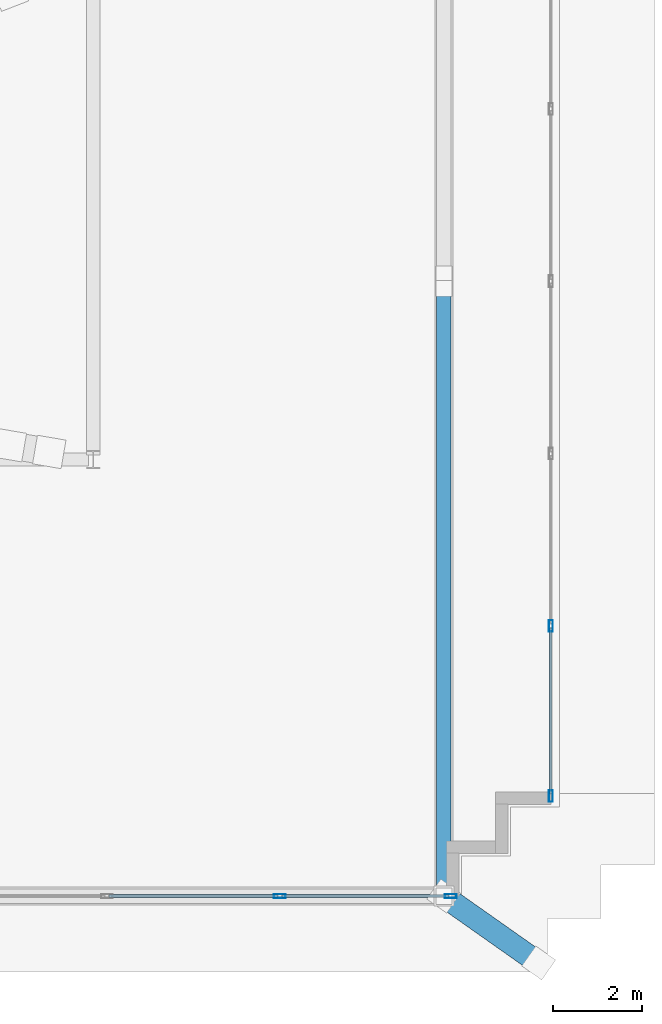
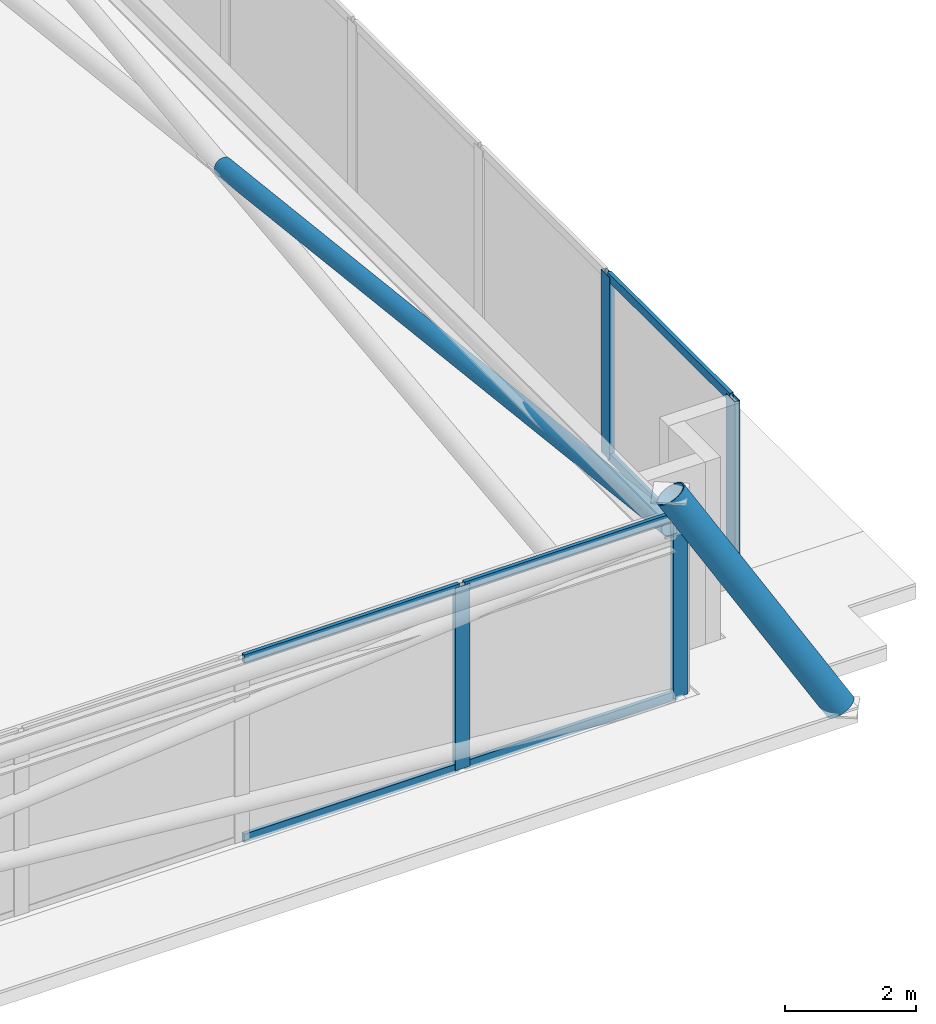
# One storey, part 15 of 22: 12 members, 2 elements without a shape of their own.
"""IFC4 building model written with IfcOpenShell, lengths in metres."""

from ifc_helpers import new_model, si_unit, direction, frame, origin, origin_2d, place, context, subcontext, project, spatial, hollow_rectangle, hollow_circle, extrude, material, layer, layer_set, material_profile, profile_set, type_object, element, aggregate, save


model = new_model("IFC4")

# Units and contexts
model_context = context("Model", 3, precision=1e-05, world=origin(), true_north=direction((0.0, 1.0)))
body_context = subcontext(model_context, "Body", "Model", "MODEL_VIEW")
ifc_project = project(units=[si_unit("LENGTHUNIT", "METRE"), si_unit("AREAUNIT", "SQUARE_METRE"), si_unit("VOLUMEUNIT", "CUBIC_METRE"), si_unit("PLANEANGLEUNIT", "RADIAN"), si_unit("MASSUNIT", "GRAM", prefix="KILO")], contexts=[model_context])

# Site, building, storey
site_placement = place(None, origin())
site = spatial("IfcSite", under=ifc_project, at=site_placement, CompositionType="ELEMENT")
building_placement = place(site_placement, origin())
building = spatial("IfcBuilding", under=site, at=building_placement, Name="Qobustan Lattice House", CompositionType="ELEMENT")
storey_placement = place(building_placement, frame((0.0, 0.0, 274.0)))
storey = spatial("IfcBuildingStorey", under=building, at=storey_placement, Name="L77", CompositionType="ELEMENT", Elevation=274.0)

# Curtain wall, members
ifc_material_1 = material(Name="Anodised aluminium and low-E glazing", Category="aluminium")
ifc_layer = layer(ifc_material_1, 0.219970703125)
ifc_layer_set = layer_set([ifc_layer], Name="Anodised aluminium and low-E glazing")
curtain_wall_type = type_object("IfcCurtainWallType", Name="CW-CRN-01", PredefinedType="USERDEFINED", material=ifc_layer_set)
curtain_wall_1_placement = place(storey_placement, origin())
curtain_wall_1 = element("IfcCurtainWall", 1, at=curtain_wall_1_placement, inside=storey, type_object=curtain_wall_type, Name="L77 glass-point crown faceted curtain wall 15", ObjectType="CURTAIN WALL", PredefinedType="USERDEFINED")
ifc_material_2 = material(Name="Anodised aluminium EN AW-6063 T6", Category="aluminium")
ifc_material_profile_1 = material_profile(ifc_material_2, hollow_rectangle(XDim=0.090087890625, YDim=0.260009765625, WallThickness=0.006103515625, at=origin_2d()), Name="CWM-CROWN-260x90")
ifc_profile_set_1 = profile_set([ifc_material_profile_1], Name="Anodised aluminium EN AW-6063 T6")
member_type_1 = type_object("IfcMemberType", Name="CWM-CRN-260", PredefinedType="MULLION", material=ifc_profile_set_1)
member_1_placement = place(storey_placement, frame((19.473388671875, -9.334228515625, 0.0), z_axis=(0.0, 0.0, 1.0), x_axis=(1.0, 0.0, 0.0)))
member_1 = element("IfcMember", 2, at=member_1_placement, type_object=member_type_1, Name="CW-CR mullion 6", PredefinedType="MULLION", context=body_context, shape_type="SweptSolid", body=[
    extrude(hollow_rectangle(XDim=0.090087890625, YDim=0.260009765625, WallThickness=0.006103515625, at=origin_2d()), origin(), (0.0, 0.0, 1.0), 3.39990234375),
])
member_2_placement = place(storey_placement, frame((19.473388671875, -13.156494140625, 0.0), z_axis=(0.0, 0.0, 1.0), x_axis=(1.0, 0.0, 0.0)))
member_2 = element("IfcMember", 3, at=member_2_placement, type_object=member_type_1, Name="CW-CR mullion 7", PredefinedType="MULLION", context=body_context, shape_type="SweptSolid", body=[
    extrude(hollow_rectangle(XDim=0.090087890625, YDim=0.260009765625, WallThickness=0.006103515625, at=origin_2d()), origin(), (0.0, 0.0, 1.0), 3.39990234375),
])

curtain_wall_2_placement = place(storey_placement, origin())
curtain_wall_2 = element("IfcCurtainWall", 4, at=curtain_wall_2_placement, inside=storey, type_object=curtain_wall_type, Name="L77 glass-point crown faceted curtain wall 20", ObjectType="CURTAIN WALL", PredefinedType="USERDEFINED")
member_3_placement = place(storey_placement, frame((17.228515625, -15.401611328125, 0.0), z_axis=(0.0, 0.0, 1.0), x_axis=(0.0, -1.0, 0.0)))
member_3 = element("IfcMember", 5, at=member_3_placement, type_object=member_type_1, Name="CW-CR mullion 1", PredefinedType="MULLION", context=body_context, shape_type="SweptSolid", body=[
    extrude(hollow_rectangle(XDim=0.090087890625, YDim=0.260009765625, WallThickness=0.006103515625, at=origin_2d()), origin(), (0.0, 0.0, 1.0), 3.39990234375),
])
member_4_placement = place(storey_placement, frame((13.390380859375, -15.401611328125, 0.0), z_axis=(0.0, 0.0, 1.0), x_axis=(0.0, -1.0, 0.0)))
member_4 = element("IfcMember", 6, at=member_4_placement, type_object=member_type_1, Name="CW-CR mullion 2", PredefinedType="MULLION", context=body_context, shape_type="SweptSolid", body=[
    extrude(hollow_rectangle(XDim=0.090087890625, YDim=0.260009765625, WallThickness=0.006103515625, at=origin_2d()), origin(), (0.0, 0.0, 1.0), 3.39990234375),
])

# Member
ifc_material_3 = material(Name="Anodised aluminium EN AW-6063 T6", Category="aluminium")
ifc_material_profile_2 = material_profile(ifc_material_3, hollow_rectangle(XDim=0.06494140625, YDim=0.159912109375, WallThickness=0.00390625, at=origin_2d()), Name="CWT-160x65")
ifc_profile_set_2 = profile_set([ifc_material_profile_2], Name="Anodised aluminium EN AW-6063 T6")
member_type_2 = type_object("IfcMemberType", Name="CWT-HOR-160", PredefinedType="USERDEFINED", material=ifc_profile_set_2)
member_5_placement = place(storey_placement, frame((19.473388671875, -9.37939453125, 0.032470703125), z_axis=(0.0, -1.0, 0.0), x_axis=(1.0, 0.0, 0.0)))
member_5 = element("IfcMember", 7, at=member_5_placement, type_object=member_type_2, Name="CW-CR transom 6.1", ObjectType="TRANSOM", PredefinedType="USERDEFINED", context=body_context, shape_type="SweptSolid", body=[
    extrude(hollow_rectangle(XDim=0.06494140625, YDim=0.159912109375, WallThickness=0.00390625, at=origin_2d()), origin(), (0.0, 0.0, 1.0), 3.732177734375),
])

member_6_placement = place(storey_placement, frame((19.473388671875, -9.37939453125, 3.367431640625), z_axis=(0.0, -1.0, 0.0), x_axis=(1.0, 0.0, 0.0)))
member_6 = element("IfcMember", 8, at=member_6_placement, type_object=member_type_2, Name="CW-CR transom 6.2", ObjectType="TRANSOM", PredefinedType="USERDEFINED", context=body_context, shape_type="SweptSolid", body=[
    extrude(hollow_rectangle(XDim=0.06494140625, YDim=0.159912109375, WallThickness=0.00390625, at=origin_2d()), origin(), (0.0, 0.0, 1.0), 3.732177734375),
])

aggregate(curtain_wall_1, [member_1, member_2, member_5, member_6])

member_7_placement = place(storey_placement, frame((17.18359375, -15.401611328125, 0.032470703125), z_axis=(-1.0, 0.0, 0.0), x_axis=(0.0, -1.0, 0.0)))
member_7 = element("IfcMember", 9, at=member_7_placement, type_object=member_type_2, Name="CW-CR transom 1.1", ObjectType="TRANSOM", PredefinedType="USERDEFINED", context=body_context, shape_type="SweptSolid", body=[
    extrude(hollow_rectangle(XDim=0.06494140625, YDim=0.159912109375, WallThickness=0.00390625, at=origin_2d()), origin(), (0.0, 0.0, 1.0), 3.748046875),
])

member_8_placement = place(storey_placement, frame((17.18359375, -15.401611328125, 3.367431640625), z_axis=(-1.0, 0.0, 0.0), x_axis=(0.0, -1.0, 0.0)))
member_8 = element("IfcMember", 10, at=member_8_placement, type_object=member_type_2, Name="CW-CR transom 1.2", ObjectType="TRANSOM", PredefinedType="USERDEFINED", context=body_context, shape_type="SweptSolid", body=[
    extrude(hollow_rectangle(XDim=0.06494140625, YDim=0.159912109375, WallThickness=0.00390625, at=origin_2d()), origin(), (0.0, 0.0, 1.0), 3.748046875),
])

member_9_placement = place(storey_placement, frame((13.345458984375, -15.401611328125, 0.032470703125), z_axis=(-1.0, 0.0, 0.0), x_axis=(0.0, -1.0, 0.0)))
member_9 = element("IfcMember", 11, at=member_9_placement, type_object=member_type_2, Name="CW-CR transom 2.1", ObjectType="TRANSOM", PredefinedType="USERDEFINED", context=body_context, shape_type="SweptSolid", body=[
    extrude(hollow_rectangle(XDim=0.06494140625, YDim=0.159912109375, WallThickness=0.00390625, at=origin_2d()), origin(), (0.0, 0.0, 1.0), 3.79296875),
])

member_10_placement = place(storey_placement, frame((13.345458984375, -15.401611328125, 3.367431640625), z_axis=(-1.0, 0.0, 0.0), x_axis=(0.0, -1.0, 0.0)))
member_10 = element("IfcMember", 12, at=member_10_placement, type_object=member_type_2, Name="CW-CR transom 2.2", ObjectType="TRANSOM", PredefinedType="USERDEFINED", context=body_context, shape_type="SweptSolid", body=[
    extrude(hollow_rectangle(XDim=0.06494140625, YDim=0.159912109375, WallThickness=0.00390625, at=origin_2d()), origin(), (0.0, 0.0, 1.0), 3.79296875),
])

aggregate(curtain_wall_2, [member_3, member_4, member_7, member_8, member_9, member_10])

# Members
ifc_material_4 = material(Name="Steel S355", Category="steel")
ifc_material_profile_3 = material_profile(ifc_material_4, hollow_circle(Radius=0.161865234375, WallThickness=0.012451171875, at=origin_2d()), Name="CHS323.9x12.5")
ifc_profile_set_3 = profile_set([ifc_material_profile_3], Name="Steel S355")
member_type_3 = type_object("IfcMemberType", Name="MEM-CBR-CHS324", PredefinedType="BRACE", material=ifc_profile_set_3)
member_11_placement = place(storey_placement, frame((17.073486328125, -1.766845703125, 1.61669921875), z_axis=(0.0, -0.993491726048, 0.113904303142), x_axis=(1.0, 0.0, 0.0)))
element("IfcMember", 13, at=member_11_placement, inside=storey, type_object=member_type_3, Name="L77 crown diagrid split brace 2B upper", PredefinedType="BRACE", context=body_context, shape_type="SweptSolid", body=[
    extrude(hollow_circle(Radius=0.161865234375, WallThickness=0.012451171875, at=origin_2d()), origin(), (0.0, 0.0, 1.0), 13.72412109375),
])
ifc_material_5 = material(Name="Steel S355", Category="steel")
ifc_material_profile_4 = material_profile(ifc_material_5, hollow_circle(Radius=0.25390625, WallThickness=0.02001953125, at=origin_2d()), Name="CHS508x20")
ifc_profile_set_4 = profile_set([ifc_material_profile_4], Name="Steel S355")
member_type_4 = type_object("IfcMemberType", Name="MEM-STR-CHS508", PredefinedType="STRUT", material=ifc_profile_set_4)
member_12_placement = place(storey_placement, frame((19.199951171875, -16.89990234375, 0.0), z_axis=(-0.461761337127, 0.325353539144, 0.825179702914), x_axis=(-0.575979190419, -0.817464355311, 0.0)))
element("IfcMember", 14, at=member_12_placement, inside=storey, type_object=member_type_4, Name="L77 crown corner raking strut 2", PredefinedType="STRUT", context=body_context, shape_type="SweptSolid", body=[
    extrude(hollow_circle(Radius=0.25390625, WallThickness=0.02001953125, at=origin_2d()), origin(), (0.0, 0.0, 1.0), 4.605224609375),
])

save(model, "model.ifc")
